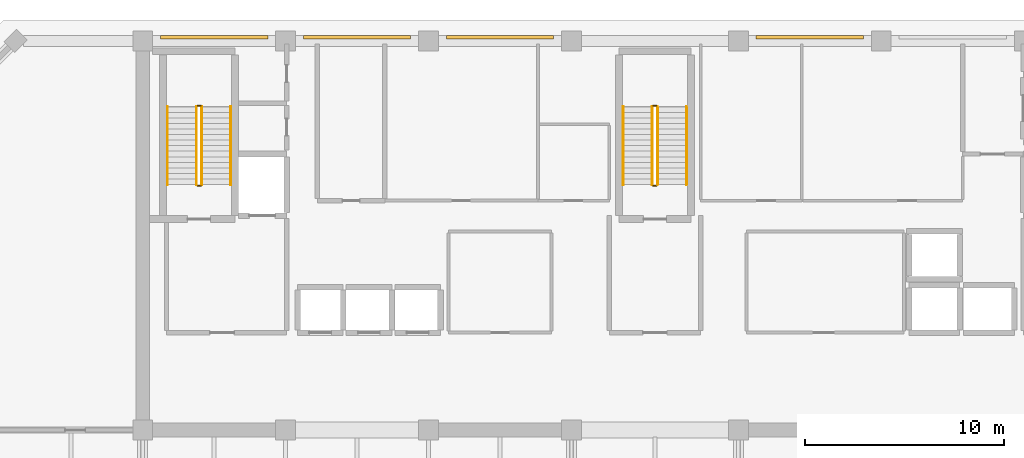
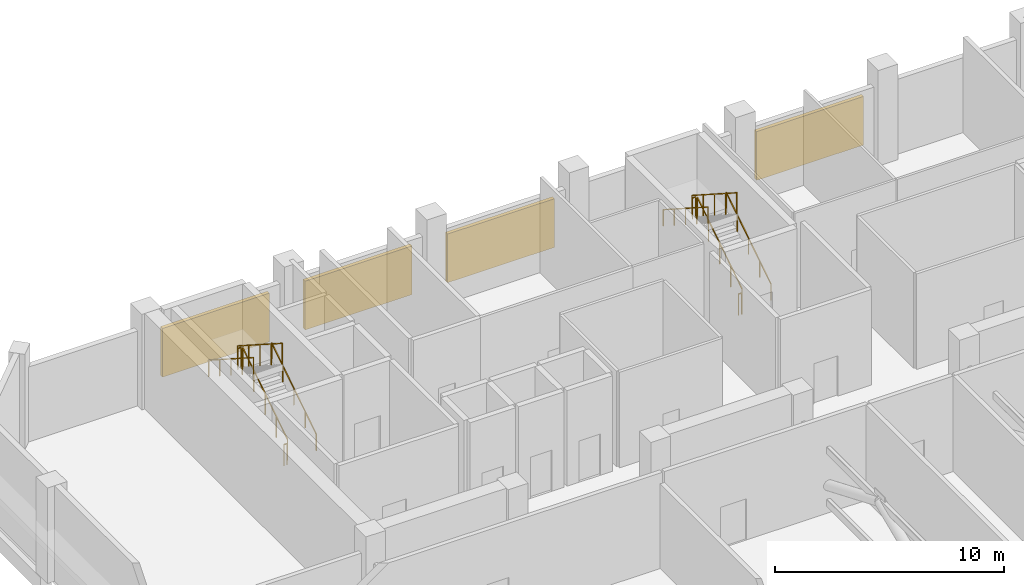
# One storey, part 10 of 11: 12 railings, 4 shading devices.
"""IFC4 building model written with IfcOpenShell, lengths in metres."""

from ifc_helpers import new_model, si_unit, direction, frame, origin, origin_2d, place, context, subcontext, project, spatial, rectangle, extrude, material, type_object, element, save


model = new_model("IFC4")

# Units and contexts
model_context = context("Model", 3, precision=1e-05, world=origin(), true_north=direction((0.0, 1.0)))
body_context = subcontext(model_context, "Body", "Model", "MODEL_VIEW")
ifc_project = project(units=[si_unit("LENGTHUNIT", "METRE"), si_unit("AREAUNIT", "SQUARE_METRE"), si_unit("VOLUMEUNIT", "CUBIC_METRE"), si_unit("PLANEANGLEUNIT", "RADIAN"), si_unit("MASSUNIT", "GRAM", prefix="KILO")], contexts=[model_context])

# Site, building, storey
site_placement = place(None, origin())
site = spatial("IfcSite", under=ifc_project, at=site_placement, CompositionType="ELEMENT")
building_placement = place(site_placement, origin())
building = spatial("IfcBuilding", under=site, at=building_placement, Name="Kaelvorn Grand Hotel", CompositionType="ELEMENT")
storey_placement = place(building_placement, frame((0.0, 0.0, 280.5)))
storey = spatial("IfcBuildingStorey", under=building, at=storey_placement, Name="L69", CompositionType="ELEMENT", Elevation=280.5)

# Railings
ifc_material_1 = material(Name="Stainless Steel", Category="steel")
railing_type_1 = type_object("IfcRailingType", Name="RL-HANDRAIL-900", PredefinedType="HANDRAIL", material=ifc_material_1)
railing_1_placement = place(storey_placement, frame((20.6298828125, 41.760009765625, 0.179931640625)))
element("IfcRailing", 1, at=railing_1_placement, inside=storey, type_object=railing_type_1, Name="L69 ST1 stair handrail 1", PredefinedType="HANDRAIL", context=body_context, shape_type="SweptSolid", body=[
    extrude(rectangle(XDim=0.048095703125, YDim=0.048095703125, at=origin_2d()), frame((0.0, 0.0, 0.8759765625), z_axis=(0.0, 0.841171666519, 0.540768182723), x_axis=(-1.0, 0.0, 0.0)), (0.0, 0.0, 1.0), 4.66015625),
    extrude(rectangle(XDim=0.0419921875, YDim=0.0419921875, at=origin_2d()), origin(), (0.0, 0.0, 1.0), 0.851806640625),
    extrude(rectangle(XDim=0.0419921875, YDim=0.0419921875, at=origin_2d()), frame((0.0, 0.97998046875, 0.6298828125)), (0.0, 0.0, 1.0), 0.851806640625),
    extrude(rectangle(XDim=0.0419921875, YDim=0.0419921875, at=origin_2d()), frame((0.0, 1.9599609375, 1.260009765625)), (0.0, 0.0, 1.0), 0.851806640625),
    extrude(rectangle(XDim=0.0419921875, YDim=0.0419921875, at=origin_2d()), frame((0.0, 2.93994140625, 1.89013671875)), (0.0, 0.0, 1.0), 0.851806640625),
    extrude(rectangle(XDim=0.0419921875, YDim=0.0419921875, at=origin_2d()), frame((0.0, 3.919921875, 2.52001953125)), (0.0, 0.0, 1.0), 0.851806640625),
])
railing_2_placement = place(storey_placement, frame((17.449951171875, 45.679931640625, 2.8798828125)))
element("IfcRailing", 2, at=railing_2_placement, inside=storey, type_object=railing_type_1, Name="L69 ST1 stair handrail 2", PredefinedType="HANDRAIL", context=body_context, shape_type="SweptSolid", body=[
    extrude(rectangle(XDim=0.048095703125, YDim=0.048095703125, at=origin_2d()), frame((0.0, 0.0, 0.8759765625), z_axis=(0.0, -0.841171666519, 0.540768182723), x_axis=(1.0, 0.0, 0.0)), (0.0, 0.0, 1.0), 4.66015625),
    extrude(rectangle(XDim=0.0419921875, YDim=0.0419921875, at=origin_2d()), origin(), (0.0, 0.0, 1.0), 0.851806640625),
    extrude(rectangle(XDim=0.0419921875, YDim=0.0419921875, at=origin_2d()), frame((0.0, -0.97998046875, 0.6298828125)), (0.0, 0.0, 1.0), 0.851806640625),
    extrude(rectangle(XDim=0.0419921875, YDim=0.0419921875, at=origin_2d()), frame((0.0, -1.9599609375, 1.260009765625)), (0.0, 0.0, 1.0), 0.851806640625),
    extrude(rectangle(XDim=0.0419921875, YDim=0.0419921875, at=origin_2d()), frame((0.0, -2.93994140625, 1.89013671875)), (0.0, 0.0, 1.0), 0.851806640625),
    extrude(rectangle(XDim=0.0419921875, YDim=0.0419921875, at=origin_2d()), frame((0.0, -3.919921875, 2.52001953125)), (0.0, 0.0, 1.0), 0.851806640625),
])
railing_3_placement = place(storey_placement, frame((43.590087890625, 41.760009765625, 0.179931640625)))
element("IfcRailing", 3, at=railing_3_placement, inside=storey, type_object=railing_type_1, Name="L69 ST2 stair handrail 1", PredefinedType="HANDRAIL", context=body_context, shape_type="SweptSolid", body=[
    extrude(rectangle(XDim=0.048095703125, YDim=0.048095703125, at=origin_2d()), frame((0.0, 0.0, 0.8759765625), z_axis=(0.0, 0.841171666519, 0.540768182723), x_axis=(-1.0, 0.0, 0.0)), (0.0, 0.0, 1.0), 4.66015625),
    extrude(rectangle(XDim=0.0419921875, YDim=0.0419921875, at=origin_2d()), origin(), (0.0, 0.0, 1.0), 0.851806640625),
    extrude(rectangle(XDim=0.0419921875, YDim=0.0419921875, at=origin_2d()), frame((0.0, 0.97998046875, 0.6298828125)), (0.0, 0.0, 1.0), 0.851806640625),
    extrude(rectangle(XDim=0.0419921875, YDim=0.0419921875, at=origin_2d()), frame((0.0, 1.9599609375, 1.260009765625)), (0.0, 0.0, 1.0), 0.851806640625),
    extrude(rectangle(XDim=0.0419921875, YDim=0.0419921875, at=origin_2d()), frame((0.0, 2.93994140625, 1.89013671875)), (0.0, 0.0, 1.0), 0.851806640625),
    extrude(rectangle(XDim=0.0419921875, YDim=0.0419921875, at=origin_2d()), frame((0.0, 3.919921875, 2.52001953125)), (0.0, 0.0, 1.0), 0.851806640625),
])
railing_4_placement = place(storey_placement, frame((40.409912109375, 45.679931640625, 2.8798828125)))
element("IfcRailing", 4, at=railing_4_placement, inside=storey, type_object=railing_type_1, Name="L69 ST2 stair handrail 2", PredefinedType="HANDRAIL", context=body_context, shape_type="SweptSolid", body=[
    extrude(rectangle(XDim=0.048095703125, YDim=0.048095703125, at=origin_2d()), frame((0.0, 0.0, 0.8759765625), z_axis=(0.0, -0.841171666519, 0.540768182723), x_axis=(1.0, 0.0, 0.0)), (0.0, 0.0, 1.0), 4.66015625),
    extrude(rectangle(XDim=0.0419921875, YDim=0.0419921875, at=origin_2d()), origin(), (0.0, 0.0, 1.0), 0.851806640625),
    extrude(rectangle(XDim=0.0419921875, YDim=0.0419921875, at=origin_2d()), frame((0.0, -0.97998046875, 0.6298828125)), (0.0, 0.0, 1.0), 0.851806640625),
    extrude(rectangle(XDim=0.0419921875, YDim=0.0419921875, at=origin_2d()), frame((0.0, -1.9599609375, 1.260009765625)), (0.0, 0.0, 1.0), 0.851806640625),
    extrude(rectangle(XDim=0.0419921875, YDim=0.0419921875, at=origin_2d()), frame((0.0, -2.93994140625, 1.89013671875)), (0.0, 0.0, 1.0), 0.851806640625),
    extrude(rectangle(XDim=0.0419921875, YDim=0.0419921875, at=origin_2d()), frame((0.0, -3.919921875, 2.52001953125)), (0.0, 0.0, 1.0), 0.851806640625),
])
railing_type_2 = type_object("IfcRailingType", Name="RL-STAIR-GUARD-1150", PredefinedType="BALUSTRADE", material=ifc_material_1)
railing_5_placement = place(storey_placement, frame((19.169921875, 41.760009765625, 0.179931640625)))
element("IfcRailing", 5, at=railing_5_placement, inside=storey, type_object=railing_type_2, Name="L69 ST1 stair guard 1", PredefinedType="BALUSTRADE", context=body_context, shape_type="SweptSolid", body=[
    extrude(rectangle(XDim=0.048095703125, YDim=0.048095703125, at=origin_2d()), frame((0.0, 0.0, 1.1259765625), z_axis=(0.0, 0.841171666519, 0.540768182723), x_axis=(-1.0, 0.0, 0.0)), (0.0, 0.0, 1.0), 4.66015625),
    extrude(rectangle(XDim=0.0419921875, YDim=0.0419921875, at=origin_2d()), origin(), (0.0, 0.0, 1.0), 1.101806640625),
    extrude(rectangle(XDim=0.0419921875, YDim=0.0419921875, at=origin_2d()), frame((0.0, 0.97998046875, 0.6298828125)), (0.0, 0.0, 1.0), 1.101806640625),
    extrude(rectangle(XDim=0.0419921875, YDim=0.0419921875, at=origin_2d()), frame((0.0, 1.9599609375, 1.260009765625)), (0.0, 0.0, 1.0), 1.101806640625),
    extrude(rectangle(XDim=0.0419921875, YDim=0.0419921875, at=origin_2d()), frame((0.0, 2.93994140625, 1.89013671875)), (0.0, 0.0, 1.0), 1.101806640625),
    extrude(rectangle(XDim=0.0419921875, YDim=0.0419921875, at=origin_2d()), frame((0.0, 3.919921875, 2.52001953125)), (0.0, 0.0, 1.0), 1.101806640625),
])
railing_6_placement = place(storey_placement, frame((19.1201171875, 45.72998046875, 2.699951171875)))
element("IfcRailing", 6, at=railing_6_placement, inside=storey, type_object=railing_type_2, Name="L69 ST1 stair guard 2", PredefinedType="BALUSTRADE", context=body_context, shape_type="SweptSolid", body=[
    extrude(rectangle(XDim=0.048095703125, YDim=0.048095703125, at=origin_2d()), frame((0.0, 0.0, 1.1259765625), z_axis=(-1.0, 0.0, 0.0), x_axis=(0.0, -1.0, 0.0)), (0.0, 0.0, 1.0), 0.16015625),
    extrude(rectangle(XDim=0.0419921875, YDim=0.0419921875, at=origin_2d()), origin(), (0.0, 0.0, 1.0), 1.101806640625),
    extrude(rectangle(XDim=0.0419921875, YDim=0.0419921875, at=origin_2d()), frame((-0.16015625, 0.0, 0.0)), (0.0, 0.0, 1.0), 1.101806640625),
])
railing_7_placement = place(storey_placement, frame((18.909912109375, 45.679931640625, 2.8798828125)))
element("IfcRailing", 7, at=railing_7_placement, inside=storey, type_object=railing_type_2, Name="L69 ST1 stair guard 3", PredefinedType="BALUSTRADE", context=body_context, shape_type="SweptSolid", body=[
    extrude(rectangle(XDim=0.048095703125, YDim=0.048095703125, at=origin_2d()), frame((0.0, 0.0, 1.1259765625), z_axis=(0.0, -0.841171666519, 0.540768182723), x_axis=(1.0, 0.0, 0.0)), (0.0, 0.0, 1.0), 4.66015625),
    extrude(rectangle(XDim=0.0419921875, YDim=0.0419921875, at=origin_2d()), origin(), (0.0, 0.0, 1.0), 1.101806640625),
    extrude(rectangle(XDim=0.0419921875, YDim=0.0419921875, at=origin_2d()), frame((0.0, -0.97998046875, 0.6298828125)), (0.0, 0.0, 1.0), 1.101806640625),
    extrude(rectangle(XDim=0.0419921875, YDim=0.0419921875, at=origin_2d()), frame((0.0, -1.9599609375, 1.260009765625)), (0.0, 0.0, 1.0), 1.101806640625),
    extrude(rectangle(XDim=0.0419921875, YDim=0.0419921875, at=origin_2d()), frame((0.0, -2.93994140625, 1.89013671875)), (0.0, 0.0, 1.0), 1.101806640625),
    extrude(rectangle(XDim=0.0419921875, YDim=0.0419921875, at=origin_2d()), frame((0.0, -3.919921875, 2.52001953125)), (0.0, 0.0, 1.0), 1.101806640625),
])
railing_8_placement = place(storey_placement, frame((19.1201171875, 41.7099609375, 0.0)))
element("IfcRailing", 8, at=railing_8_placement, inside=storey, type_object=railing_type_2, Name="L69 ST1 stair guard 4", PredefinedType="BALUSTRADE", context=body_context, shape_type="SweptSolid", body=[
    extrude(rectangle(XDim=0.048095703125, YDim=0.048095703125, at=origin_2d()), frame((0.0, 0.0, 1.1259765625), z_axis=(-1.0, 0.0, 0.0), x_axis=(0.0, -1.0, 0.0)), (0.0, 0.0, 1.0), 0.16015625),
    extrude(rectangle(XDim=0.0419921875, YDim=0.0419921875, at=origin_2d()), origin(), (0.0, 0.0, 1.0), 1.101806640625),
    extrude(rectangle(XDim=0.0419921875, YDim=0.0419921875, at=origin_2d()), frame((-0.16015625, 0.0, 0.0)), (0.0, 0.0, 1.0), 1.101806640625),
])
railing_9_placement = place(storey_placement, frame((42.1298828125, 41.760009765625, 0.179931640625)))
element("IfcRailing", 9, at=railing_9_placement, inside=storey, type_object=railing_type_2, Name="L69 ST2 stair guard 1", PredefinedType="BALUSTRADE", context=body_context, shape_type="SweptSolid", body=[
    extrude(rectangle(XDim=0.048095703125, YDim=0.048095703125, at=origin_2d()), frame((0.0, 0.0, 1.1259765625), z_axis=(0.0, 0.841171666519, 0.540768182723), x_axis=(-1.0, 0.0, 0.0)), (0.0, 0.0, 1.0), 4.66015625),
    extrude(rectangle(XDim=0.0419921875, YDim=0.0419921875, at=origin_2d()), origin(), (0.0, 0.0, 1.0), 1.101806640625),
    extrude(rectangle(XDim=0.0419921875, YDim=0.0419921875, at=origin_2d()), frame((0.0, 0.97998046875, 0.6298828125)), (0.0, 0.0, 1.0), 1.101806640625),
    extrude(rectangle(XDim=0.0419921875, YDim=0.0419921875, at=origin_2d()), frame((0.0, 1.9599609375, 1.260009765625)), (0.0, 0.0, 1.0), 1.101806640625),
    extrude(rectangle(XDim=0.0419921875, YDim=0.0419921875, at=origin_2d()), frame((0.0, 2.93994140625, 1.89013671875)), (0.0, 0.0, 1.0), 1.101806640625),
    extrude(rectangle(XDim=0.0419921875, YDim=0.0419921875, at=origin_2d()), frame((0.0, 3.919921875, 2.52001953125)), (0.0, 0.0, 1.0), 1.101806640625),
])
railing_10_placement = place(storey_placement, frame((42.080078125, 45.72998046875, 2.699951171875)))
element("IfcRailing", 10, at=railing_10_placement, inside=storey, type_object=railing_type_2, Name="L69 ST2 stair guard 2", PredefinedType="BALUSTRADE", context=body_context, shape_type="SweptSolid", body=[
    extrude(rectangle(XDim=0.048095703125, YDim=0.048095703125, at=origin_2d()), frame((0.0, 0.0, 1.1259765625), z_axis=(-1.0, 0.0, 0.0), x_axis=(0.0, -1.0, 0.0)), (0.0, 0.0, 1.0), 0.16015625),
    extrude(rectangle(XDim=0.0419921875, YDim=0.0419921875, at=origin_2d()), origin(), (0.0, 0.0, 1.0), 1.101806640625),
    extrude(rectangle(XDim=0.0419921875, YDim=0.0419921875, at=origin_2d()), frame((-0.16015625, 0.0, 0.0)), (0.0, 0.0, 1.0), 1.101806640625),
])
railing_11_placement = place(storey_placement, frame((41.8701171875, 45.679931640625, 2.8798828125)))
element("IfcRailing", 11, at=railing_11_placement, inside=storey, type_object=railing_type_2, Name="L69 ST2 stair guard 3", PredefinedType="BALUSTRADE", context=body_context, shape_type="SweptSolid", body=[
    extrude(rectangle(XDim=0.048095703125, YDim=0.048095703125, at=origin_2d()), frame((0.0, 0.0, 1.1259765625), z_axis=(0.0, -0.841171666519, 0.540768182723), x_axis=(1.0, 0.0, 0.0)), (0.0, 0.0, 1.0), 4.66015625),
    extrude(rectangle(XDim=0.0419921875, YDim=0.0419921875, at=origin_2d()), origin(), (0.0, 0.0, 1.0), 1.101806640625),
    extrude(rectangle(XDim=0.0419921875, YDim=0.0419921875, at=origin_2d()), frame((0.0, -0.97998046875, 0.6298828125)), (0.0, 0.0, 1.0), 1.101806640625),
    extrude(rectangle(XDim=0.0419921875, YDim=0.0419921875, at=origin_2d()), frame((0.0, -1.9599609375, 1.260009765625)), (0.0, 0.0, 1.0), 1.101806640625),
    extrude(rectangle(XDim=0.0419921875, YDim=0.0419921875, at=origin_2d()), frame((0.0, -2.93994140625, 1.89013671875)), (0.0, 0.0, 1.0), 1.101806640625),
    extrude(rectangle(XDim=0.0419921875, YDim=0.0419921875, at=origin_2d()), frame((0.0, -3.919921875, 2.52001953125)), (0.0, 0.0, 1.0), 1.101806640625),
])
railing_12_placement = place(storey_placement, frame((42.080078125, 41.7099609375, 0.0)))
element("IfcRailing", 12, at=railing_12_placement, inside=storey, type_object=railing_type_2, Name="L69 ST2 stair guard 4", PredefinedType="BALUSTRADE", context=body_context, shape_type="SweptSolid", body=[
    extrude(rectangle(XDim=0.048095703125, YDim=0.048095703125, at=origin_2d()), frame((0.0, 0.0, 1.1259765625), z_axis=(-1.0, 0.0, 0.0), x_axis=(0.0, -1.0, 0.0)), (0.0, 0.0, 1.0), 0.16015625),
    extrude(rectangle(XDim=0.0419921875, YDim=0.0419921875, at=origin_2d()), origin(), (0.0, 0.0, 1.0), 1.101806640625),
    extrude(rectangle(XDim=0.0419921875, YDim=0.0419921875, at=origin_2d()), frame((-0.16015625, 0.0, 0.0)), (0.0, 0.0, 1.0), 1.101806640625),
])

# Shading devices
ifc_material_2 = material(Name="Anodised Aluminium", Category="aluminium")
shading_device_type = type_object("IfcShadingDeviceType", Name="SHD-LOUVRE-PLANT", PredefinedType="USERDEFINED", material=ifc_material_2)
for number, where, z_axis, x_axis, name in (
    (13, (19.800048828125, 49.18994140625, 0.89990234375), (0.0, 0.0, 1.0), (1.0, 0.0, 0.0), "L69 Mechanical Plant Aluminium Louvre Screen N2"),
    (14, (27.0, 49.18994140625, 0.89990234375), (0.0, 0.0, 1.0), (1.0, 0.0, 0.0), "L69 Mechanical Plant Aluminium Louvre Screen N3"),
    (15, (34.199951171875, 49.18994140625, 0.89990234375), (0.0, 0.0, 1.0), (1.0, 0.0, 0.0), "L69 Mechanical Plant Aluminium Louvre Screen N4"),
    (16, (49.800048828125, 49.18994140625, 0.89990234375), (0.0, 0.0, 1.0), (1.0, 0.0, 0.0), "L69 Mechanical Plant Aluminium Louvre Screen N5"),
):
    element("IfcShadingDevice", number, at=place(storey_placement, frame(where, z_axis=z_axis, x_axis=x_axis)), inside=storey, type_object=shading_device_type, Name=name, ObjectType="LOUVRE", PredefinedType="USERDEFINED", context=body_context, shape_type="SweptSolid", body=[
        extrude(rectangle(XDim=5.39990234375, YDim=0.179931640625, at=origin_2d()), origin(), (0.0, 0.0, 1.0), 2.60009765625),
    ])

save(model, "model.ifc")
